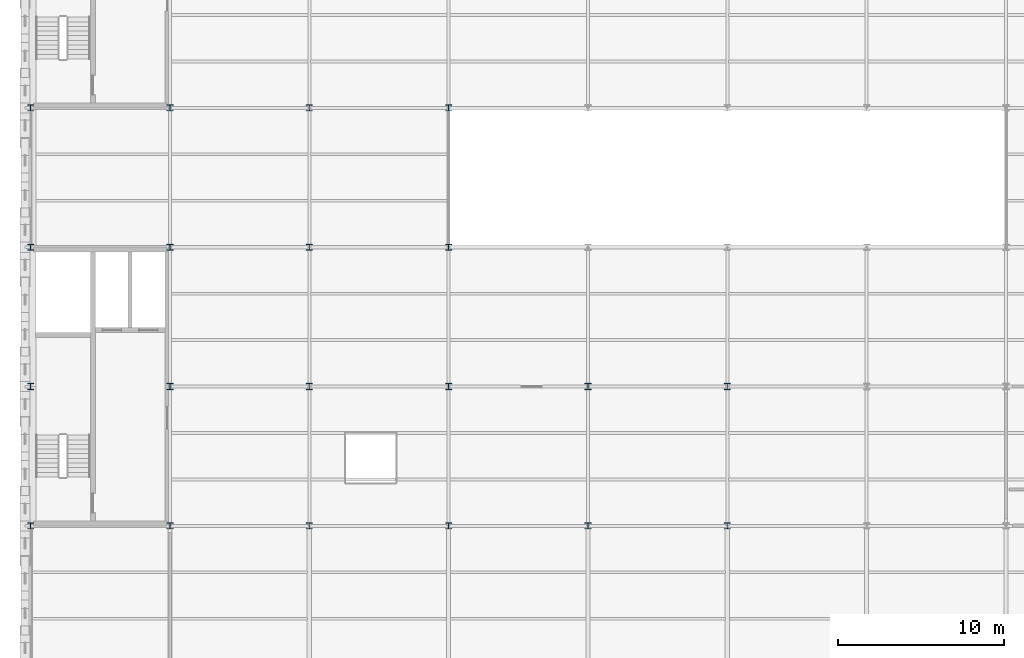
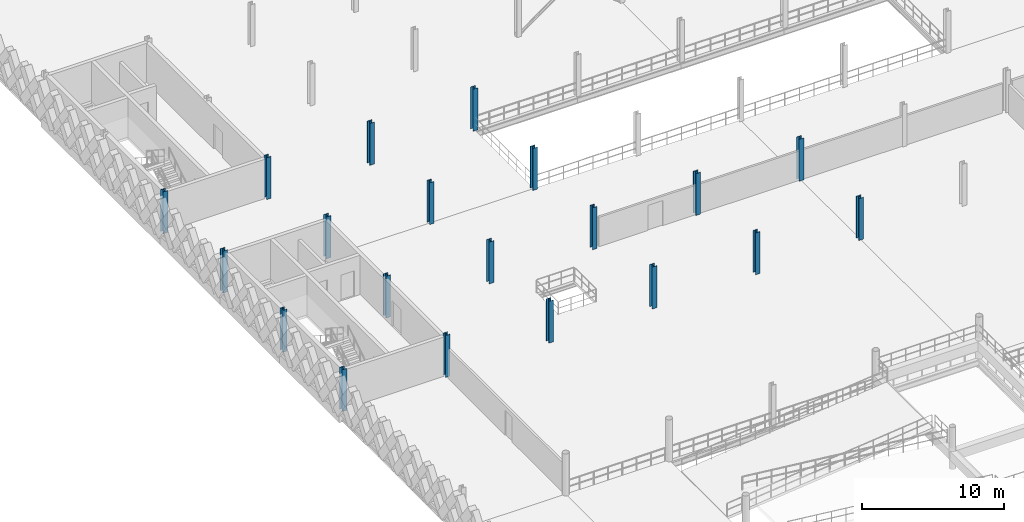
# One storey, part 3 of 62: 20 columns.
"""IFC4 building model written with IfcOpenShell, lengths in metres."""

from ifc_helpers import new_model, si_unit, direction, frame, origin, origin_2d, place, context, subcontext, project, spatial, i_section, extrude, material, material_profile, profile_set, type_object, element, save


model = new_model("IFC4")

# Units and contexts
model_context = context("Model", 3, precision=1e-05, world=origin(), true_north=direction((0.0, 1.0)))
body_context = subcontext(model_context, "Body", "Model", "MODEL_VIEW")
ifc_project = project(units=[si_unit("LENGTHUNIT", "METRE"), si_unit("AREAUNIT", "SQUARE_METRE"), si_unit("VOLUMEUNIT", "CUBIC_METRE"), si_unit("PLANEANGLEUNIT", "RADIAN"), si_unit("MASSUNIT", "GRAM", prefix="KILO"), si_unit("THERMODYNAMICTEMPERATUREUNIT", "KELVIN"), si_unit("POWERUNIT", "WATT")], contexts=[model_context])

# Site, building, storey
site_placement = place(None, origin())
site = spatial("IfcSite", under=ifc_project, at=site_placement, CompositionType="ELEMENT")
building_placement = place(site_placement, origin())
building = spatial("IfcBuilding", under=site, at=building_placement, Name="Tembeka Court Mobility Hub", CompositionType="ELEMENT")
storey_placement = place(building_placement, frame((0.0, 0.0, 16.199951171875)))
storey = spatial("IfcBuildingStorey", under=building, at=storey_placement, Name="L04", CompositionType="ELEMENT", Elevation=16.199951171875)

# Columns
ifc_material = material(Name="Steel S355", Category="steel")
ifc_material_profile = material_profile(ifc_material, i_section(OverallWidth=0.373046875, OverallDepth=0.367919921875, WebThickness=0.014404296875, FlangeThickness=0.023681640625, FilletRadius=0.01513671875, at=origin_2d()), Name="UKC 356x368x177")
ifc_profile_set = profile_set([ifc_material_profile], Name="Steel S355")
column_type = type_object("IfcColumnType", Name="COL-C03", PredefinedType="COLUMN", material=ifc_profile_set)
for number, where, z_axis, x_axis, name in (
    (1, (0.0, 38.39990234375, 0.0), (0.0, 0.0, 1.0), (1.0, 0.0, 0.0), "Column C03 (L04-004)"),
    (2, (0.0, 46.800048828125, 0.0), (0.0, 0.0, 1.0), (1.0, 0.0, 0.0), "Column C03 (L04-005)"),
    (3, (0.0, 55.199951171875, 0.0), (0.0, 0.0, 1.0), (1.0, 0.0, 0.0), "Column C03 (L04-006)"),
    (4, (0.0, 63.60009765625, 0.0), (0.0, 0.0, 1.0), (1.0, 0.0, 0.0), "Column C03 (L04-007)"),
    (5, (8.39990234375, 38.39990234375, 0.0), (0.0, 0.0, 1.0), (1.0, 0.0, 0.0), "Column C03 (L04-016)"),
    (6, (8.39990234375, 46.800048828125, 0.0), (0.0, 0.0, 1.0), (1.0, 0.0, 0.0), "Column C03 (L04-017)"),
    (7, (8.39990234375, 55.199951171875, 0.0), (0.0, 0.0, 1.0), (1.0, 0.0, 0.0), "Column C03 (L04-018)"),
    (8, (8.39990234375, 63.60009765625, 0.0), (0.0, 0.0, 1.0), (1.0, 0.0, 0.0), "Column C03 (L04-019)"),
    (9, (16.800048828125, 38.39990234375, 0.0), (0.0, 0.0, 1.0), (1.0, 0.0, 0.0), "Column C03 (L04-028)"),
    (10, (16.800048828125, 46.800048828125, 0.0), (0.0, 0.0, 1.0), (1.0, 0.0, 0.0), "Column C03 (L04-029)"),
    (11, (16.800048828125, 55.199951171875, 0.0), (0.0, 0.0, 1.0), (1.0, 0.0, 0.0), "Column C03 (L04-030)"),
    (12, (16.800048828125, 63.60009765625, 0.0), (0.0, 0.0, 1.0), (1.0, 0.0, 0.0), "Column C03 (L04-031)"),
    (13, (25.199951171875, 38.39990234375, 0.0), (0.0, 0.0, 1.0), (1.0, 0.0, 0.0), "Column C03 (L04-039)"),
    (14, (25.199951171875, 46.800048828125, 0.0), (0.0, 0.0, 1.0), (1.0, 0.0, 0.0), "Column C03 (L04-040)"),
    (15, (25.199951171875, 55.199951171875, 0.0), (0.0, 0.0, 1.0), (1.0, 0.0, 0.0), "Column C03 (L04-041)"),
    (16, (25.199951171875, 63.60009765625, 0.0), (0.0, 0.0, 1.0), (1.0, 0.0, 0.0), "Column C03 (L04-042)"),
    (17, (33.60009765625, 38.39990234375, 0.0), (0.0, 0.0, 1.0), (1.0, 0.0, 0.0), "Column C03 (L04-050)"),
    (18, (33.60009765625, 46.800048828125, 0.0), (0.0, 0.0, 1.0), (1.0, 0.0, 0.0), "Column C03 (L04-051)"),
    (19, (42.0, 38.39990234375, 0.0), (0.0, 0.0, 1.0), (1.0, 0.0, 0.0), "Column C03 (L04-062)"),
    (20, (42.0, 46.800048828125, 0.0), (0.0, 0.0, 1.0), (1.0, 0.0, 0.0), "Column C03 (L04-063)"),
):
    element("IfcColumn", number, at=place(storey_placement, frame(where, z_axis=z_axis, x_axis=x_axis)), inside=storey, type_object=column_type, Name=name, PredefinedType="COLUMN", context=body_context, shape_type="SweptSolid", body=[
        extrude(i_section(OverallWidth=0.373046875, OverallDepth=0.367919921875, WebThickness=0.014404296875, FlangeThickness=0.023681640625, FilletRadius=0.01513671875, at=origin_2d()), origin(), (0.0, 0.0, 1.0), 3.60009765625),
    ])

save(model, "model.ifc")
